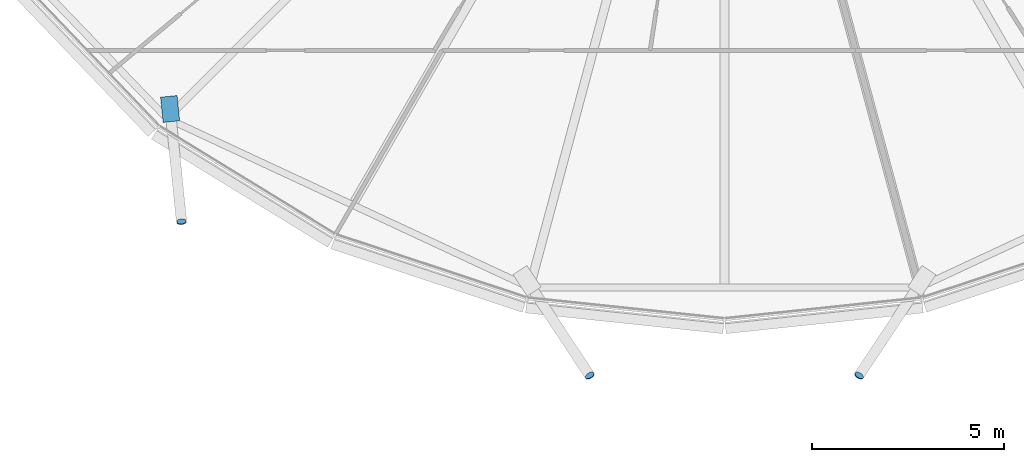
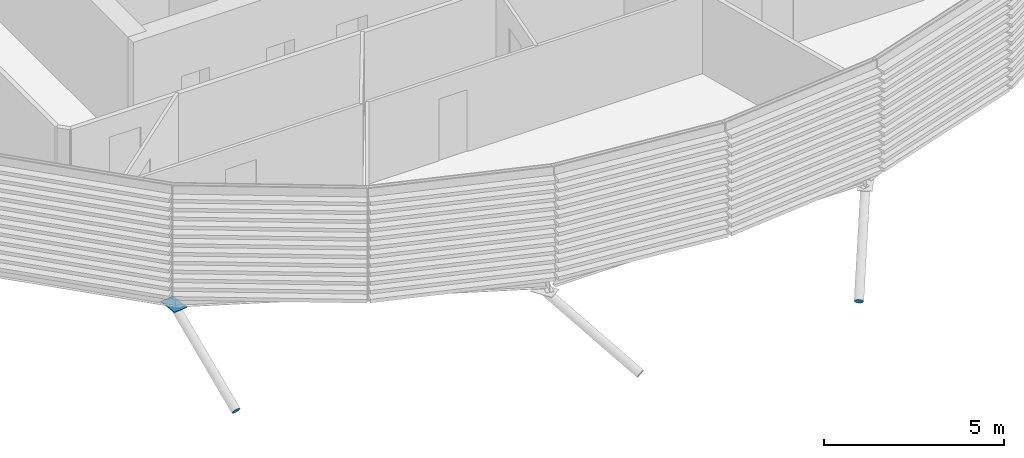
# One storey, part 25 of 37: 4 discrete accessories.
"""IFC4 building model written with IfcOpenShell, lengths in metres."""

from ifc_helpers import new_model, si_unit, direction, frame, origin, origin_2d, place, context, subcontext, project, spatial, polyline, rectangle, circle, outline, extrude, material, material_profile, profile_set, type_object, element, save


model = new_model("IFC4")

# Units and contexts
model_context = context("Model", 3, precision=1e-05, world=origin(), true_north=direction((0.0, 1.0)))
body_context = subcontext(model_context, "Body", "Model", "MODEL_VIEW")
ifc_project = project(units=[si_unit("LENGTHUNIT", "METRE"), si_unit("AREAUNIT", "SQUARE_METRE"), si_unit("VOLUMEUNIT", "CUBIC_METRE"), si_unit("PLANEANGLEUNIT", "RADIAN"), si_unit("MASSUNIT", "GRAM", prefix="KILO")], contexts=[model_context])

# Site, building, storey
site_placement = place(None, origin())
site = spatial("IfcSite", under=ifc_project, at=site_placement, CompositionType="ELEMENT")
building_placement = place(site_placement, origin())
building = spatial("IfcBuilding", under=site, at=building_placement, Name="Rimbun Link Towers", CompositionType="ELEMENT")
storey_placement = place(building_placement, frame((0.0, 0.0, 177.89990234375)))
storey = spatial("IfcBuildingStorey", under=building, at=storey_placement, Name="L43", CompositionType="ELEMENT", Elevation=177.89990234375)

# Discrete accessories
ifc_material_1 = material(Name="Steel S355J2H", Category="steel")
ifc_material_profile_1 = material_profile(ifc_material_1, circle(Radius=0.1240234375, at=origin_2d()), Name="PL D248")
ifc_profile_set_1 = profile_set([ifc_material_profile_1], Name="Steel S355J2H")
discrete_accessory_type_1 = type_object("IfcDiscreteAccessoryType", Name="Link foot sealing plate D248X20", PredefinedType="BRACKET", material=ifc_profile_set_1)
discrete_accessory_1_placement = place(storey_placement, frame((-45.918701171875, -17.23779296875, -2.612548828125), z_axis=(0.086105355489, -0.836452024752, -0.541233663075), x_axis=(0.99474329889, 0.102400045474, 0.0)))
element("IfcDiscreteAccessory", 1, at=discrete_accessory_1_placement, inside=storey, type_object=discrete_accessory_type_1, Name="Link foot sealing plate T1 L43 15", PredefinedType="BRACKET", context=body_context, shape_type="SweptSolid", body=[
    extrude(circle(Radius=0.1240234375, at=origin_2d()), origin(), (0.0, 0.0, 1.0), 0.019775390625),
])
for number, where, z_axis, x_axis, name in (
    (2, (-35.26708984375, -21.255615234375, -2.650390625), (0.465740835726, -0.710867591371, -0.527022524637), (0.83646112958, 0.548026257311, 0.0), "Link foot sealing plate T1 L43 17"),
    (3, (-28.23291015625, -21.255615234375, -2.650390625), (-0.465740835726, -0.710867591371, -0.527022524637), (0.83646112958, -0.548026257311, 0.0), "Link foot sealing plate T1 L43 19"),
):
    element("IfcDiscreteAccessory", number, at=place(storey_placement, frame(where, z_axis=z_axis, x_axis=x_axis)), inside=storey, type_object=discrete_accessory_type_1, Name=name, PredefinedType="BRACKET", context=body_context, shape_type="SweptSolid", body=[
        extrude(circle(Radius=0.1240234375, at=origin_2d()), origin(), (0.0, 0.0, 1.0), 0.02001953125),
    ])
ifc_material_2 = material(Name="Steel S355J2H", Category="steel")
ifc_material_profile_2 = material_profile(ifc_material_2, rectangle(XDim=0.43310546875, YDim=0.43310546875, at=origin_2d()), Name="PL 433x433")
ifc_profile_set_2 = profile_set([ifc_material_profile_2], Name="Steel S355J2H")
discrete_accessory_type_2 = type_object("IfcDiscreteAccessoryType", Name="Link head end plate 433X20", PredefinedType="BRACKET", material=ifc_profile_set_2)
discrete_accessory_2_placement = place(storey_placement, frame((0.0, 0.0, -0.702880859375)))
element("IfcDiscreteAccessory", 4, at=discrete_accessory_2_placement, inside=storey, type_object=discrete_accessory_type_2, Name="Link head end plate T1 L43 15", PredefinedType="BRACKET", context=body_context, shape_type="SweptSolid", body=[
    extrude(outline(polyline([(-46.464111328125, -13.997802734375), (-46.397216796875, -14.656494140625), (-45.966552734375, -14.61279296875), (-46.033203125, -13.9541015625), (-46.464111328125, -13.997802734375)])), origin(), (0.0, 0.0, 1.0), 0.019775390625),
])

save(model, "model.ifc")
